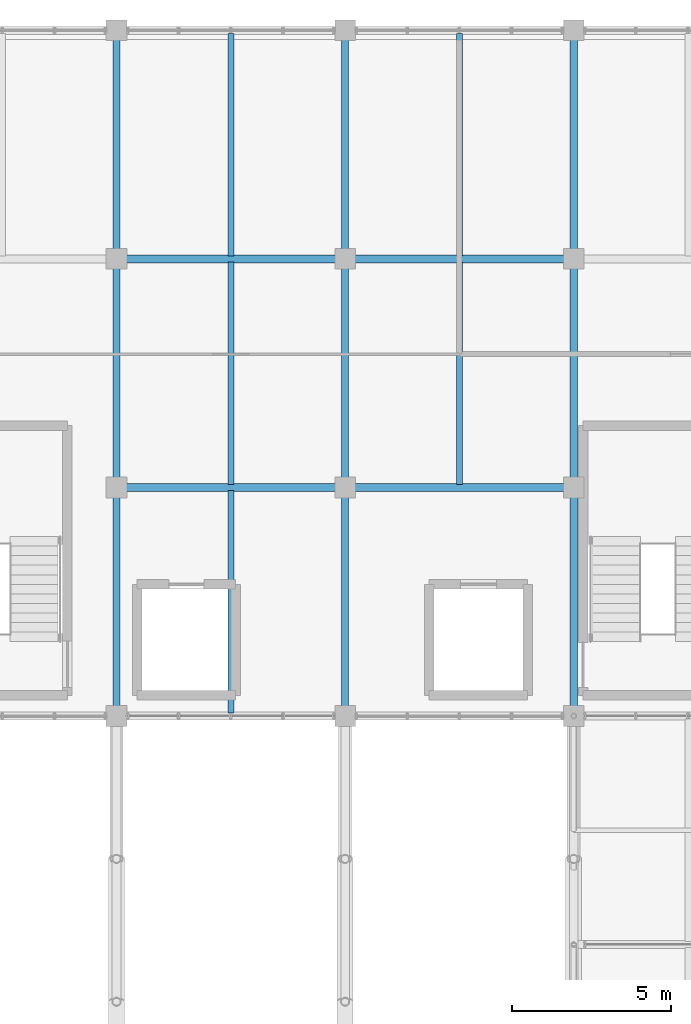
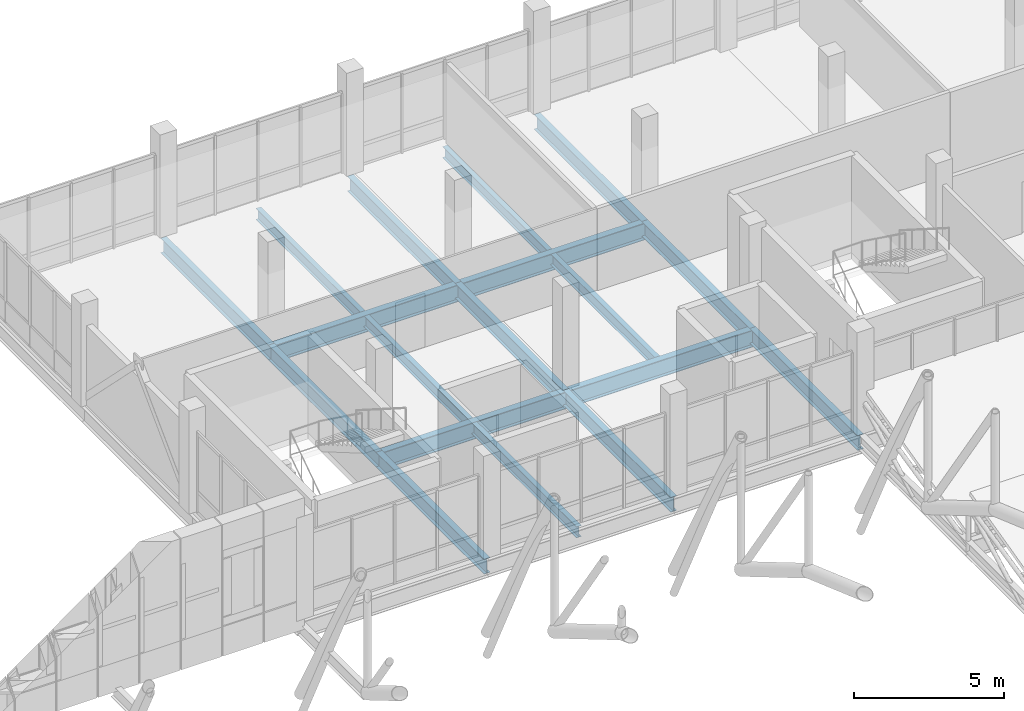
# One storey, part 49 of 144: 18 beams.
"""IFC4 building model written with IfcOpenShell, lengths in metres."""

from ifc_helpers import new_model, si_unit, direction, frame, origin, origin_2d, place, context, subcontext, project, spatial, i_section, extrude, material, material_profile, profile_set, type_object, element, save


model = new_model("IFC4")

# Units and contexts
model_context = context("Model", 3, precision=1e-05, world=origin(), true_north=direction((0.0, 1.0)))
body_context = subcontext(model_context, "Body", "Model", "MODEL_VIEW")
ifc_project = project(units=[si_unit("LENGTHUNIT", "METRE"), si_unit("AREAUNIT", "SQUARE_METRE"), si_unit("VOLUMEUNIT", "CUBIC_METRE"), si_unit("PLANEANGLEUNIT", "RADIAN"), si_unit("MASSUNIT", "GRAM", prefix="KILO")], contexts=[model_context])

# Site, building, storey
site_placement = place(None, origin())
site = spatial("IfcSite", under=ifc_project, at=site_placement, CompositionType="ELEMENT")
building_placement = place(site_placement, origin())
building = spatial("IfcBuilding", under=site, at=building_placement, Name="Yarey Park Central Fire Station", CompositionType="ELEMENT")
storey_placement = place(building_placement, frame((0.0, 0.0, 10.199951171875)))
storey = spatial("IfcBuildingStorey", under=building, at=storey_placement, Name="L03", CompositionType="ELEMENT", Elevation=10.199951171875)

# Beams
ifc_material = material(Name="Steel ASTM A992 Gr. 50", Category="steel")
ifc_material_profile_1 = material_profile(ifc_material, i_section(OverallWidth=0.22900390625, OverallDepth=0.612060546875, WebThickness=0.011962890625, FlangeThickness=0.01953125, at=origin_2d()), Name="W610x125")
ifc_profile_set_1 = profile_set([ifc_material_profile_1], Name="Steel ASTM A992 Gr. 50")
beam_type_1 = type_object("IfcBeamType", Name="STR_BM_W610", PredefinedType="BEAM", material=ifc_profile_set_1)
for number, where, z_axis, x_axis, name in (
    (1, (122.39990234375, 93.60009765625, -0.56591796875), (0.0, 1.0, 0.0), (-1.0, 0.0, 0.0), "BMY L03 X1224 Y936"),
    (2, (122.39990234375, 100.800048828125, -0.56591796875), (0.0, 1.0, 0.0), (-1.0, 0.0, 0.0), "BMY L03 X1224 Y1008"),
    (3, (122.39990234375, 108.0, -0.56591796875), (0.0, 1.0, 0.0), (-1.0, 0.0, 0.0), "BMY L03 X1224 Y1080"),
    (4, (129.60009765625, 93.60009765625, -0.56591796875), (0.0, 1.0, 0.0), (-1.0, 0.0, 0.0), "BMY L03 X1296 Y936"),
    (5, (129.60009765625, 100.800048828125, -0.56591796875), (0.0, 1.0, 0.0), (-1.0, 0.0, 0.0), "BMY L03 X1296 Y1008"),
    (6, (129.60009765625, 108.0, -0.56591796875), (0.0, 1.0, 0.0), (-1.0, 0.0, 0.0), "BMY L03 X1296 Y1080"),
    (7, (136.800048828125, 93.60009765625, -0.56591796875), (0.0, 1.0, 0.0), (-1.0, 0.0, 0.0), "BMY L03 X1368 Y936"),
    (8, (136.800048828125, 100.800048828125, -0.56591796875), (0.0, 1.0, 0.0), (-1.0, 0.0, 0.0), "BMY L03 X1368 Y1008"),
    (9, (136.800048828125, 108.0, -0.56591796875), (0.0, 1.0, 0.0), (-1.0, 0.0, 0.0), "BMY L03 X1368 Y1080"),
):
    element("IfcBeam", number, at=place(storey_placement, frame(where, z_axis=z_axis, x_axis=x_axis)), inside=storey, type_object=beam_type_1, Name=name, PredefinedType="BEAM", context=body_context, shape_type="SweptSolid", body=[
        extrude(i_section(OverallWidth=0.22900390625, OverallDepth=0.612060546875, WebThickness=0.011962890625, FlangeThickness=0.01953125, at=origin_2d()), origin(), (0.0, 0.0, 1.0), 7.199951171875),
    ])
ifc_material_profile_2 = material_profile(ifc_material, i_section(OverallWidth=0.256103515625, OverallDepth=0.693115234375, WebThickness=0.014404296875, FlangeThickness=0.023681640625, at=origin_2d()), Name="W690x170")
ifc_profile_set_2 = profile_set([ifc_material_profile_2], Name="Steel ASTM A992 Gr. 50")
beam_type_2 = type_object("IfcBeamType", Name="STR_BM_W690", PredefinedType="BEAM", material=ifc_profile_set_2)
beam_1_placement = place(storey_placement, frame((122.39990234375, 100.800048828125, -0.6064453125), z_axis=(1.0, 0.0, 0.0), x_axis=(0.0, 1.0, 0.0)))
element("IfcBeam", 10, at=beam_1_placement, inside=storey, type_object=beam_type_2, Name="BMX L03 Y1008 X1224", PredefinedType="BEAM", context=body_context, shape_type="SweptSolid", body=[
    extrude(i_section(OverallWidth=0.256103515625, OverallDepth=0.693115234375, WebThickness=0.014404296875, FlangeThickness=0.023681640625, at=origin_2d()), origin(), (0.0, 0.0, 1.0), 7.2001953125),
])
beam_2_placement = place(storey_placement, frame((129.60009765625, 100.800048828125, -0.6064453125), z_axis=(1.0, 0.0, 0.0), x_axis=(0.0, 1.0, 0.0)))
element("IfcBeam", 11, at=beam_2_placement, inside=storey, type_object=beam_type_2, Name="BMX L03 Y1008 X1296", PredefinedType="BEAM", context=body_context, shape_type="SweptSolid", body=[
    extrude(i_section(OverallWidth=0.256103515625, OverallDepth=0.693115234375, WebThickness=0.014404296875, FlangeThickness=0.023681640625, at=origin_2d()), origin(), (0.0, 0.0, 1.0), 7.199951171875),
])
beam_3_placement = place(storey_placement, frame((122.39990234375, 108.0, -0.6064453125), z_axis=(1.0, 0.0, 0.0), x_axis=(0.0, 1.0, 0.0)))
element("IfcBeam", 12, at=beam_3_placement, inside=storey, type_object=beam_type_2, Name="BMX L03 Y1080 X1224", PredefinedType="BEAM", context=body_context, shape_type="SweptSolid", body=[
    extrude(i_section(OverallWidth=0.256103515625, OverallDepth=0.693115234375, WebThickness=0.014404296875, FlangeThickness=0.023681640625, at=origin_2d()), origin(), (0.0, 0.0, 1.0), 7.2001953125),
])
beam_4_placement = place(storey_placement, frame((129.60009765625, 108.0, -0.6064453125), z_axis=(1.0, 0.0, 0.0), x_axis=(0.0, 1.0, 0.0)))
element("IfcBeam", 13, at=beam_4_placement, inside=storey, type_object=beam_type_2, Name="BMX L03 Y1080 X1296", PredefinedType="BEAM", context=body_context, shape_type="SweptSolid", body=[
    extrude(i_section(OverallWidth=0.256103515625, OverallDepth=0.693115234375, WebThickness=0.014404296875, FlangeThickness=0.023681640625, at=origin_2d()), origin(), (0.0, 0.0, 1.0), 7.199951171875),
])
ifc_material_profile_3 = material_profile(ifc_material, i_section(OverallWidth=0.18994140625, OverallDepth=0.45703125, WebThickness=0.009033203125, FlangeThickness=0.014404296875, at=origin_2d()), Name="W460x74")
ifc_profile_set_3 = profile_set([ifc_material_profile_3], Name="Steel ASTM A992 Gr. 50")
beam_type_3 = type_object("IfcBeamType", Name="STR_JST_W460", PredefinedType="JOIST", material=ifc_profile_set_3)
for number, where, z_axis, x_axis, name in (
    (14, (126.0, 93.695068359375, -0.488525390625), (0.0, 1.0, 0.0), (-1.0, 0.0, 0.0), "JST L03 X1260 Y936"),
    (15, (126.0, 100.89501953125, -0.488525390625), (0.0, 1.0, 0.0), (-1.0, 0.0, 0.0), "JST L03 X1260 Y1008"),
    (16, (126.0, 108.094970703125, -0.488525390625), (0.0, 1.0, 0.0), (-1.0, 0.0, 0.0), "JST L03 X1260 Y1080"),
    (17, (133.199951171875, 100.89501953125, -0.488525390625), (0.0, 1.0, 0.0), (-1.0, 0.0, 0.0), "JST L03 X1332 Y1008"),
    (18, (133.199951171875, 108.094970703125, -0.488525390625), (0.0, 1.0, 0.0), (-1.0, 0.0, 0.0), "JST L03 X1332 Y1080"),
):
    element("IfcBeam", number, at=place(storey_placement, frame(where, z_axis=z_axis, x_axis=x_axis)), inside=storey, type_object=beam_type_3, Name=name, PredefinedType="JOIST", context=body_context, shape_type="SweptSolid", body=[
        extrude(i_section(OverallWidth=0.18994140625, OverallDepth=0.45703125, WebThickness=0.009033203125, FlangeThickness=0.014404296875, at=origin_2d()), origin(), (0.0, 0.0, 1.0), 7.010009765625),
    ])

save(model, "model.ifc")
